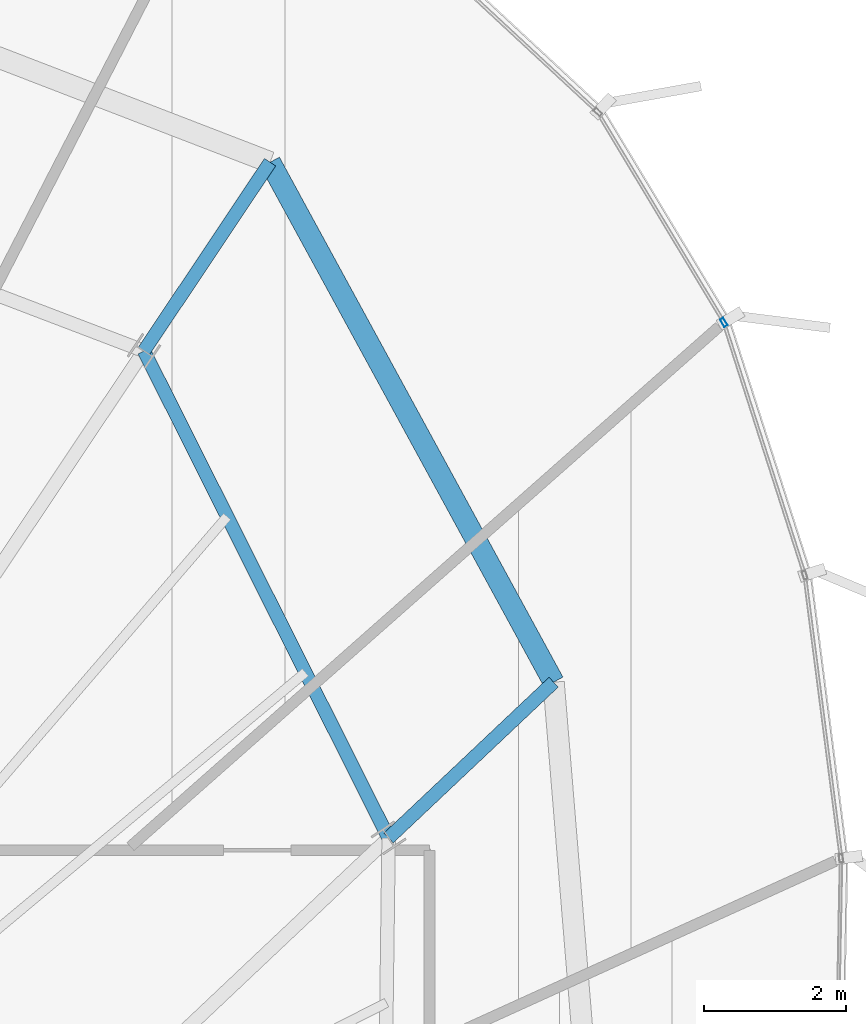
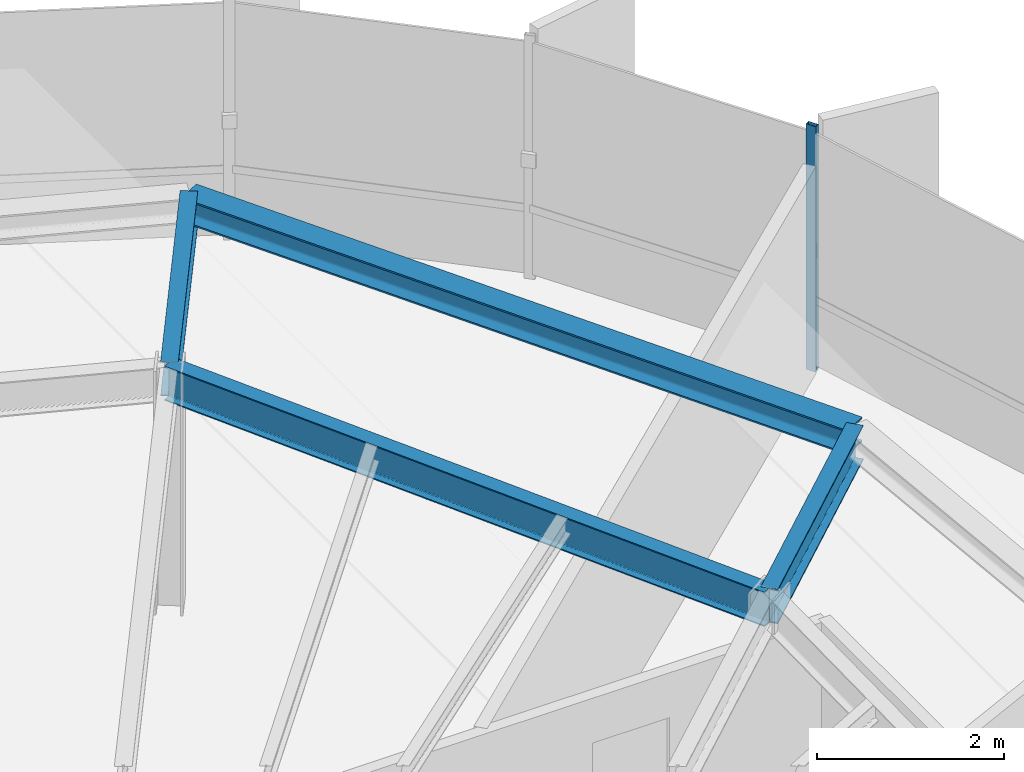
# One storey, part 24 of 34: 4 beams, 1 member, 1 element without a shape of its own.
"""IFC4 building model written with IfcOpenShell, lengths in metres."""

from ifc_helpers import new_model, si_unit, direction, frame, origin, origin_2d, place, context, subcontext, project, spatial, hollow_rectangle, i_section, extrude, source, transform, mapped, material, layer, layer_set, material_profile, profile_set, type_object, element, aggregate, save


model = new_model("IFC4")

# Units and contexts
model_context = context("Model", 3, precision=1e-05, world=origin(), true_north=direction((0.0, 1.0)))
body_context = subcontext(model_context, "Body", "Model", "MODEL_VIEW")
ifc_project = project(units=[si_unit("LENGTHUNIT", "METRE"), si_unit("AREAUNIT", "SQUARE_METRE"), si_unit("VOLUMEUNIT", "CUBIC_METRE"), si_unit("PLANEANGLEUNIT", "RADIAN"), si_unit("MASSUNIT", "GRAM", prefix="KILO"), si_unit("THERMODYNAMICTEMPERATUREUNIT", "KELVIN")], contexts=[model_context])

# Site, building, storey
site_placement = place(None, origin())
site = spatial("IfcSite", under=ifc_project, at=site_placement, CompositionType="ELEMENT")
building_placement = place(site_placement, origin())
building = spatial("IfcBuilding", under=site, at=building_placement, Name="Kethvar Cultural Tower", CompositionType="ELEMENT")
storey_placement = place(building_placement, frame((0.0, 0.0, 259.449951171875)))
storey = spatial("IfcBuildingStorey", under=building, at=storey_placement, Name="L68", CompositionType="ELEMENT", Elevation=259.449951171875)

# Beams
ifc_material_1 = material(Name="Steel S355J2", Category="steel")
ifc_material_profile_1 = material_profile(ifc_material_1, i_section(OverallWidth=0.18994140625, OverallDepth=0.449951171875, WebThickness=0.009521484375, FlangeThickness=0.0146484375, FilletRadius=0.02099609375, at=origin_2d()), Name="Steel S355J2 — IPE450")
ifc_profile_set_1 = profile_set([ifc_material_profile_1], Name="Steel S355J2 — IPE450")
beam_type_1 = type_object("IfcBeamType", Name="BM-IPE450", PredefinedType="BEAM", material=ifc_profile_set_1)
shared_shape_1 = source(origin(), body_context, "Body", "SweptSolid", [
    extrude(i_section(OverallWidth=0.18994140625, OverallDepth=0.449951171875, WebThickness=0.009521484375, FlangeThickness=0.0146484375, FilletRadius=0.02099609375, at=origin_2d()), origin(), (0.0, 0.0, 1.0), 3.199951171875),
])
beam_1_placement = place(storey_placement, frame((61.32568359375, 37.505859375, 2.983154296875), z_axis=(0.727146433404, 0.686482384616, 0.0), x_axis=(-0.686482384616, 0.727146433404, 0.0)))
element("IfcBeam", 1, at=beam_1_placement, inside=storey, type_object=beam_type_1, Name="L68 Perimeter Cantilever Beam RC-02", PredefinedType="BEAM", context=body_context, shape_type="MappedRepresentation", body=[
    mapped(shared_shape_1, transform((0.0, 0.0, 0.0), scale=1.0)),
])
shared_shape_2 = source(origin(), body_context, "Body", "SweptSolid", [
    extrude(i_section(OverallWidth=0.18994140625, OverallDepth=0.449951171875, WebThickness=0.009521484375, FlangeThickness=0.0146484375, FilletRadius=0.02099609375, at=origin_2d()), origin(), (0.0, 0.0, 1.0), 3.2001953125),
])
beam_2_placement = place(storey_placement, frame((57.875244140625, 44.375, 2.983154296875), z_axis=(0.555544970406, 0.831486491686, 0.0), x_axis=(-0.831486491686, 0.555544970406, 0.0)))
element("IfcBeam", 2, at=beam_2_placement, inside=storey, type_object=beam_type_1, Name="L68 Perimeter Cantilever Beam RC-03", PredefinedType="BEAM", context=body_context, shape_type="MappedRepresentation", body=[
    mapped(shared_shape_2, transform((0.0, 0.0, 0.0), scale=1.0)),
])
shared_shape_3 = source(origin(), body_context, "Body", "SweptSolid", [
    extrude(i_section(OverallWidth=0.18994140625, OverallDepth=0.449951171875, WebThickness=0.009521484375, FlangeThickness=0.0146484375, FilletRadius=0.02099609375, at=origin_2d()), origin(), (0.0, 0.0, 1.0), 7.68701171875),
])
beam_3_placement = place(storey_placement, frame((61.32568359375, 37.505859375, 2.983154296875), z_axis=(-0.448864354142, 0.893599905763, 0.0), x_axis=(-0.893599905763, -0.448864354142, 0.0)))
element("IfcBeam", 3, at=beam_3_placement, inside=storey, type_object=beam_type_1, Name="L68 Column Ring Tie Beam CR-02", PredefinedType="BEAM", context=body_context, shape_type="MappedRepresentation", body=[
    mapped(shared_shape_3, transform((0.0, 0.0, 0.0), scale=1.0)),
])
ifc_material_profile_2 = material_profile(ifc_material_1, i_section(OverallWidth=0.300048828125, OverallDepth=0.320068359375, WebThickness=0.011474609375, FlangeThickness=0.0205078125, FilletRadius=0.027099609375, at=origin_2d()), Name="Steel S355J2 — HEB320")
ifc_profile_set_2 = profile_set([ifc_material_profile_2], Name="Steel S355J2 — HEB320")
beam_type_2 = type_object("IfcBeamType", Name="BM-SP320", PredefinedType="SPANDREL", material=ifc_profile_set_2)
shared_shape_4 = source(origin(), body_context, "Body", "SweptSolid", [
    extrude(i_section(OverallWidth=0.300048828125, OverallDepth=0.320068359375, WebThickness=0.011474609375, FlangeThickness=0.0205078125, FilletRadius=0.027099609375, at=origin_2d()), origin(), (0.0, 0.0, 1.0), 8.35302734375),
])
beam_4_placement = place(storey_placement, frame((63.652587890625, 39.70263671875, 3.048095703125), z_axis=(-0.478811173891, 0.877917911742, 0.0), x_axis=(-0.877917911742, -0.478811173891, 0.0)))
element("IfcBeam", 4, at=beam_4_placement, inside=storey, type_object=beam_type_2, Name="L68 Perimeter Spandrel Beam SP-02", PredefinedType="SPANDREL", context=body_context, shape_type="MappedRepresentation", body=[
    mapped(shared_shape_4, transform((0.0, 0.0, 0.0), scale=1.0)),
])

# Curtain wall, member
ifc_material_2 = material(Name="Aluminium 6063-T6", Category="aluminium")
ifc_layer = layer(ifc_material_2, 0.179931640625, Name="Aluminium 6063-T6", Category="aluminium")
ifc_layer_set = layer_set([ifc_layer], Name="Aluminium 6063-T6 (180 mm)")
curtain_wall_type = type_object("IfcCurtainWallType", Name="CW-SYS-05-Z56", PredefinedType="NOTDEFINED", material=ifc_layer_set)
curtain_wall_placement = place(storey_placement, origin())
curtain_wall = element("IfcCurtainWall", 5, at=curtain_wall_placement, inside=storey, type_object=curtain_wall_type, Name="L68 Curtain Wall Run 06", PredefinedType="NOTDEFINED")
ifc_material_profile_3 = material_profile(ifc_material_2, hollow_rectangle(XDim=0.054931640625, YDim=0.1201171875, WallThickness=0.00390625, at=origin_2d()), Name="Aluminium 6063-T6 — RHS120x55x4")
ifc_profile_set_3 = profile_set([ifc_material_profile_3], Name="Aluminium 6063-T6 — RHS120x55x4")
member_type = type_object("IfcMemberType", Name="CW-SYS-05-Z56-MUL", PredefinedType="MULLION", material=ifc_profile_set_3)
shared_shape_5 = source(origin(), body_context, "Body", "SweptSolid", [
    extrude(hollow_rectangle(XDim=0.054931640625, YDim=0.1201171875, WallThickness=0.00390625, at=origin_2d()), origin(), (0.0, 0.0, 1.0), 3.2099609375),
])
member_placement = place(storey_placement, frame((66.054443359375, 44.777099609375, 0.0), z_axis=(0.0, 0.0, 1.0), x_axis=(-0.856933495591, -0.515426992051, 0.0)))
member = element("IfcMember", 6, at=member_placement, type_object=member_type, Name="CW-L68-R06 Mullion 5", PredefinedType="MULLION", context=body_context, shape_type="MappedRepresentation", body=[
    mapped(shared_shape_5, transform((0.0, 0.0, 0.0), scale=1.0)),
])
aggregate(curtain_wall, [member])

save(model, "model.ifc")
